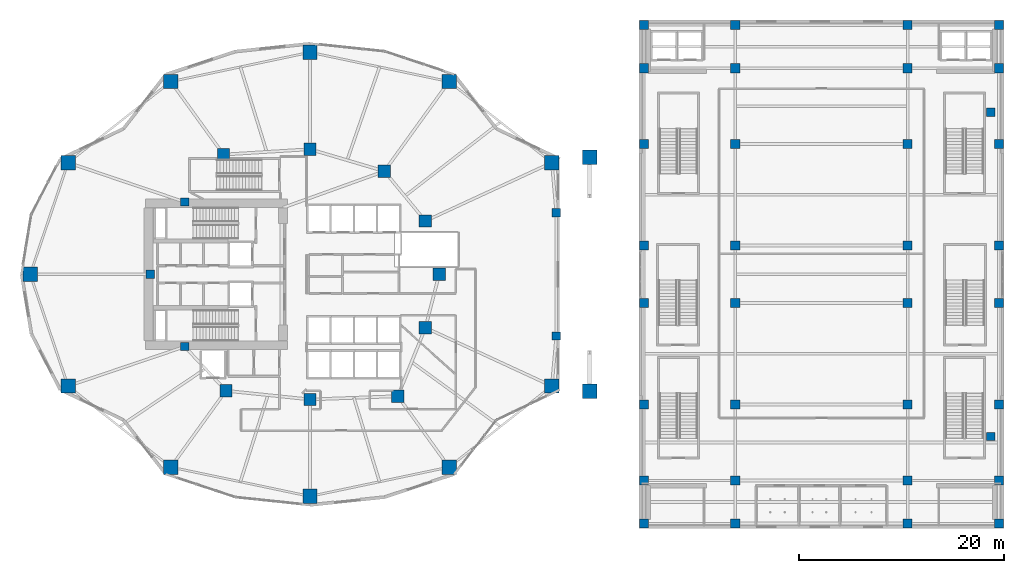
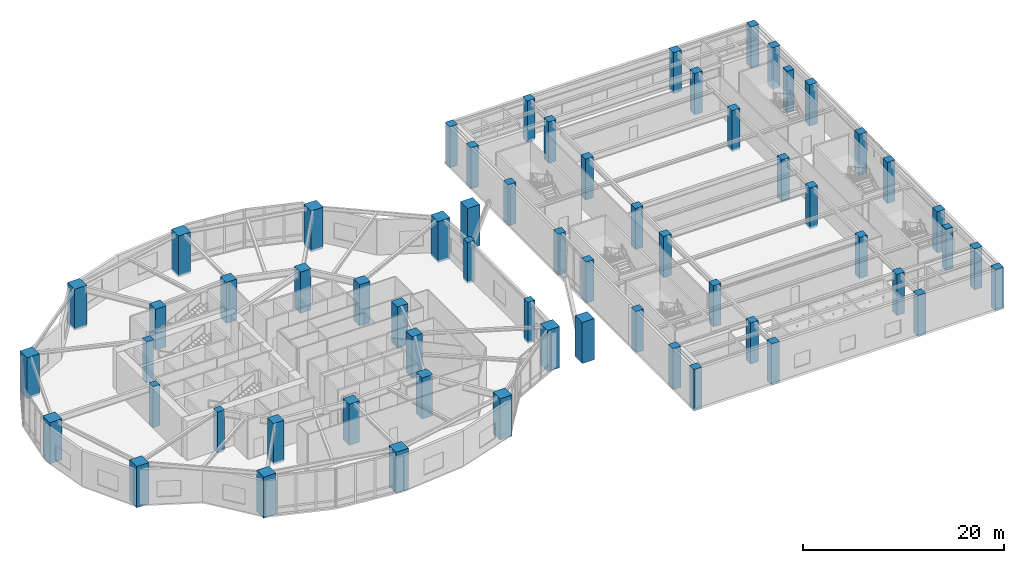
# One storey, part 1 of 21: 61 columns.
"""IFC4 building model written with IfcOpenShell, lengths in metres."""

from ifc_helpers import new_model, si_unit, direction, frame, origin, origin_2d, place, context, subcontext, project, spatial, rectangle, extrude, material, material_profile, profile_set, type_object, element, save


model = new_model("IFC4")

# Units and contexts
model_context = context("Model", 3, precision=1e-05, world=origin(), true_north=direction((0.0, 1.0)))
body_context = subcontext(model_context, "Body", "Model", "MODEL_VIEW")
ifc_project = project(units=[si_unit("LENGTHUNIT", "METRE"), si_unit("AREAUNIT", "SQUARE_METRE"), si_unit("VOLUMEUNIT", "CUBIC_METRE"), si_unit("PLANEANGLEUNIT", "RADIAN"), si_unit("MASSUNIT", "GRAM", prefix="KILO")], contexts=[model_context])

# Site, building, storey
site_placement = place(None, origin())
site = spatial("IfcSite", under=ifc_project, at=site_placement, CompositionType="ELEMENT")
building_placement = place(site_placement, origin())
building = spatial("IfcBuilding", under=site, at=building_placement, Name="Kolvaren Gate Tower and Convention Centre", CompositionType="ELEMENT")
storey_placement = place(building_placement, frame((0.0, 0.0, 5.0)))
storey = spatial("IfcBuildingStorey", under=building, at=storey_placement, Name="L01", CompositionType="ELEMENT", Elevation=5.0)

# Columns
ifc_material_1 = material(Name="Concrete C70/85", Category="concrete")
ifc_material_profile_1 = material_profile(ifc_material_1, rectangle(XDim=1.199951171875, YDim=1.199951171875, at=origin_2d()), Name="RC-COL-1200X1200")
ifc_profile_set_1 = profile_set([ifc_material_profile_1], Name="Concrete C70/85")
column_type_1 = type_object("IfcColumnType", Name="STR-COL-RC1200", PredefinedType="COLUMN", material=ifc_profile_set_1)
for number, where, z_axis, x_axis, name in (
    (1, (42.72509765625, 27.0, -0.260009765625), (0.0, 0.0, 1.0), (1.0, 0.0, 0.0), "Tower L01 Interior Column TI-01"),
    (2, (41.382080078125, 32.199462890625, -0.260009765625), (0.0, 0.0, 1.0), (1.0, 0.0, 0.0), "Tower L01 Interior Column TI-02"),
    (3, (37.381591796875, 37.054931640625, -0.260009765625), (0.0, 0.0, 1.0), (1.0, 0.0, 0.0), "Tower L01 Interior Column TI-03"),
    (4, (30.125, 39.199951171875, -0.260009765625), (0.0, 0.0, 1.0), (1.0, 0.0, 0.0), "Tower L01 Interior Column TI-04"),
    (5, (21.697998046875, 38.6767578125, -0.260009765625), (0.0, 0.0, 1.0), (1.0, 0.0, 0.0), "Tower L01 Interior Column TI-05"),
    (6, (21.93212890625, 15.647705078125, -0.260009765625), (0.0, 0.0, 1.0), (1.0, 0.0, 0.0), "Tower L01 Interior Column TI-06"),
    (7, (30.125, 14.800048828125, -0.260009765625), (0.0, 0.0, 1.0), (1.0, 0.0, 0.0), "Tower L01 Interior Column TI-07"),
    (8, (38.6982421875, 15.12060546875, -0.260009765625), (0.0, 0.0, 1.0), (1.0, 0.0, 0.0), "Tower L01 Interior Column TI-08"),
    (9, (41.382080078125, 21.800537109375, -0.260009765625), (0.0, 0.0, 1.0), (1.0, 0.0, 0.0), "Tower L01 Interior Column TI-09"),
):
    element("IfcColumn", number, at=place(storey_placement, frame(where, z_axis=z_axis, x_axis=x_axis)), inside=storey, type_object=column_type_1, Name=name, PredefinedType="COLUMN", context=body_context, shape_type="SweptSolid", body=[
        extrude(rectangle(XDim=1.199951171875, YDim=1.199951171875, at=origin_2d()), origin(), (0.0, 0.0, 1.0), 5.0),
    ])
ifc_material_profile_2 = material_profile(ifc_material_1, rectangle(XDim=1.39990234375, YDim=1.39990234375, at=origin_2d()), Name="RC-COL-1400X1400")
ifc_profile_set_2 = profile_set([ifc_material_profile_2], Name="Concrete C70/85")
column_type_2 = type_object("IfcColumnType", Name="STR-COL-RC1400", PredefinedType="COLUMN", material=ifc_profile_set_2)
for number, where, z_axis, x_axis, name in (
    (10, (53.710205078125, 37.8935546875, -0.260009765625), (0.0, 0.0, 1.0), (1.0, 0.0, 0.0), "Tower L01 Perimeter Supercolumn TP-02"),
    (11, (43.690185546875, 45.79638671875, -0.260009765625), (0.0, 0.0, 1.0), (1.0, 0.0, 0.0), "Tower L01 Perimeter Supercolumn TP-03"),
    (12, (30.125, 48.64990234375, -0.260009765625), (0.0, 0.0, 1.0), (1.0, 0.0, 0.0), "Tower L01 Perimeter Supercolumn TP-04"),
    (13, (16.559814453125, 45.79638671875, -0.260009765625), (0.0, 0.0, 1.0), (1.0, 0.0, 0.0), "Tower L01 Perimeter Supercolumn TP-05"),
    (14, (6.539794921875, 37.8935546875, -0.260009765625), (0.0, 0.0, 1.0), (1.0, 0.0, 0.0), "Tower L01 Perimeter Supercolumn TP-06"),
    (15, (2.85009765625, 27.0, -0.260009765625), (0.0, 0.0, 1.0), (1.0, 0.0, 0.0), "Tower L01 Perimeter Supercolumn TP-07"),
    (16, (6.539794921875, 16.1064453125, -0.260009765625), (0.0, 0.0, 1.0), (1.0, 0.0, 0.0), "Tower L01 Perimeter Supercolumn TP-08"),
    (17, (16.559814453125, 8.20361328125, -0.260009765625), (0.0, 0.0, 1.0), (1.0, 0.0, 0.0), "Tower L01 Perimeter Supercolumn TP-09"),
    (18, (30.125, 5.35009765625, -0.260009765625), (0.0, 0.0, 1.0), (1.0, 0.0, 0.0), "Tower L01 Perimeter Supercolumn TP-10"),
    (19, (43.690185546875, 8.20361328125, -0.260009765625), (0.0, 0.0, 1.0), (1.0, 0.0, 0.0), "Tower L01 Perimeter Supercolumn TP-11"),
    (20, (53.710205078125, 16.1064453125, -0.260009765625), (0.0, 0.0, 1.0), (1.0, 0.0, 0.0), "Tower L01 Perimeter Supercolumn TP-12"),
    (21, (57.39990234375, 15.60009765625, -0.260009765625), (0.0, 0.0, 1.0), (1.0, 0.0, 0.0), "Monumental Arch Skewback Pier AP-1 (L01)"),
    (22, (57.39990234375, 38.39990234375, -0.260009765625), (0.0, 0.0, 1.0), (1.0, 0.0, 0.0), "Monumental Arch Skewback Pier AP-2 (L01)"),
):
    element("IfcColumn", number, at=place(storey_placement, frame(where, z_axis=z_axis, x_axis=x_axis)), inside=storey, type_object=column_type_2, Name=name, PredefinedType="COLUMN", context=body_context, shape_type="SweptSolid", body=[
        extrude(rectangle(XDim=1.39990234375, YDim=1.39990234375, at=origin_2d()), origin(), (0.0, 0.0, 1.0), 5.0),
    ])
ifc_material_2 = material(Name="Concrete C60/75", Category="concrete")
ifc_material_profile_3 = material_profile(ifc_material_2, rectangle(XDim=0.89990234375, YDim=0.89990234375, at=origin_2d()), Name="RC-COL-900X900")
ifc_profile_set_3 = profile_set([ifc_material_profile_3], Name="Concrete C60/75")
column_type_3 = type_object("IfcColumnType", Name="STR-COL-RC900", PredefinedType="COLUMN", material=ifc_profile_set_3)
for number, where, z_axis, x_axis, name in (
    (23, (62.699951171875, 2.699951171875, -0.260009765625), (0.0, 0.0, 1.0), (1.0, 0.0, 0.0), "Convention L01 Column CC-11"),
    (24, (62.699951171875, 6.89990234375, -0.260009765625), (0.0, 0.0, 1.0), (1.0, 0.0, 0.0), "Convention L01 Column CC-12"),
    (25, (62.699951171875, 14.300048828125, -0.260009765625), (0.0, 0.0, 1.0), (1.0, 0.0, 0.0), "Convention L01 Column CC-13"),
    (26, (62.699951171875, 24.199951171875, -0.260009765625), (0.0, 0.0, 1.0), (1.0, 0.0, 0.0), "Convention L01 Column CC-14"),
    (27, (62.699951171875, 29.800048828125, -0.260009765625), (0.0, 0.0, 1.0), (1.0, 0.0, 0.0), "Convention L01 Column CC-15"),
    (28, (62.699951171875, 39.699951171875, -0.260009765625), (0.0, 0.0, 1.0), (1.0, 0.0, 0.0), "Convention L01 Column CC-16"),
    (29, (62.699951171875, 47.10009765625, -0.260009765625), (0.0, 0.0, 1.0), (1.0, 0.0, 0.0), "Convention L01 Column CC-17"),
    (30, (62.699951171875, 51.300048828125, -0.260009765625), (0.0, 0.0, 1.0), (1.0, 0.0, 0.0), "Convention L01 Column CC-18"),
    (31, (71.60009765625, 2.699951171875, -0.260009765625), (0.0, 0.0, 1.0), (1.0, 0.0, 0.0), "Convention L01 Column CC-21"),
    (32, (71.60009765625, 6.89990234375, -0.260009765625), (0.0, 0.0, 1.0), (1.0, 0.0, 0.0), "Convention L01 Column CC-22"),
    (33, (71.60009765625, 14.300048828125, -0.260009765625), (0.0, 0.0, 1.0), (1.0, 0.0, 0.0), "Convention L01 Column CC-23"),
    (34, (71.60009765625, 24.199951171875, -0.260009765625), (0.0, 0.0, 1.0), (1.0, 0.0, 0.0), "Convention L01 Column CC-24"),
    (35, (71.60009765625, 29.800048828125, -0.260009765625), (0.0, 0.0, 1.0), (1.0, 0.0, 0.0), "Convention L01 Column CC-25"),
    (36, (71.60009765625, 39.699951171875, -0.260009765625), (0.0, 0.0, 1.0), (1.0, 0.0, 0.0), "Convention L01 Column CC-26"),
    (37, (71.60009765625, 47.10009765625, -0.260009765625), (0.0, 0.0, 1.0), (1.0, 0.0, 0.0), "Convention L01 Column CC-27"),
    (38, (71.60009765625, 51.300048828125, -0.260009765625), (0.0, 0.0, 1.0), (1.0, 0.0, 0.0), "Convention L01 Column CC-28"),
    (39, (88.39990234375, 2.699951171875, -0.260009765625), (0.0, 0.0, 1.0), (1.0, 0.0, 0.0), "Convention L01 Column CC-31"),
    (40, (88.39990234375, 6.89990234375, -0.260009765625), (0.0, 0.0, 1.0), (1.0, 0.0, 0.0), "Convention L01 Column CC-32"),
    (41, (88.39990234375, 14.300048828125, -0.260009765625), (0.0, 0.0, 1.0), (1.0, 0.0, 0.0), "Convention L01 Column CC-33"),
    (42, (88.39990234375, 24.199951171875, -0.260009765625), (0.0, 0.0, 1.0), (1.0, 0.0, 0.0), "Convention L01 Column CC-34"),
    (43, (88.39990234375, 29.800048828125, -0.260009765625), (0.0, 0.0, 1.0), (1.0, 0.0, 0.0), "Convention L01 Column CC-35"),
    (44, (88.39990234375, 39.699951171875, -0.260009765625), (0.0, 0.0, 1.0), (1.0, 0.0, 0.0), "Convention L01 Column CC-36"),
    (45, (88.39990234375, 47.10009765625, -0.260009765625), (0.0, 0.0, 1.0), (1.0, 0.0, 0.0), "Convention L01 Column CC-37"),
    (46, (88.39990234375, 51.300048828125, -0.260009765625), (0.0, 0.0, 1.0), (1.0, 0.0, 0.0), "Convention L01 Column CC-38"),
    (47, (97.300048828125, 2.699951171875, -0.260009765625), (0.0, 0.0, 1.0), (1.0, 0.0, 0.0), "Convention L01 Column CC-41"),
    (48, (97.300048828125, 6.89990234375, -0.260009765625), (0.0, 0.0, 1.0), (1.0, 0.0, 0.0), "Convention L01 Column CC-42"),
    (49, (97.300048828125, 14.300048828125, -0.260009765625), (0.0, 0.0, 1.0), (1.0, 0.0, 0.0), "Convention L01 Column CC-43"),
    (50, (97.300048828125, 24.199951171875, -0.260009765625), (0.0, 0.0, 1.0), (1.0, 0.0, 0.0), "Convention L01 Column CC-44"),
    (51, (97.300048828125, 29.800048828125, -0.260009765625), (0.0, 0.0, 1.0), (1.0, 0.0, 0.0), "Convention L01 Column CC-45"),
    (52, (97.300048828125, 39.699951171875, -0.260009765625), (0.0, 0.0, 1.0), (1.0, 0.0, 0.0), "Convention L01 Column CC-46"),
    (53, (97.300048828125, 47.10009765625, -0.260009765625), (0.0, 0.0, 1.0), (1.0, 0.0, 0.0), "Convention L01 Column CC-47"),
    (54, (97.300048828125, 51.300048828125, -0.260009765625), (0.0, 0.0, 1.0), (1.0, 0.0, 0.0), "Convention L01 Column CC-48"),
):
    element("IfcColumn", number, at=place(storey_placement, frame(where, z_axis=z_axis, x_axis=x_axis)), inside=storey, type_object=column_type_3, Name=name, PredefinedType="COLUMN", context=body_context, shape_type="SweptSolid", body=[
        extrude(rectangle(XDim=0.89990234375, YDim=0.89990234375, at=origin_2d()), origin(), (0.0, 0.0, 1.0), 5.0),
    ])
ifc_material_profile_4 = material_profile(ifc_material_2, rectangle(XDim=0.800048828125, YDim=0.800048828125, at=origin_2d()), Name="RC-COL-800X800")
ifc_profile_set_4 = profile_set([ifc_material_profile_4], Name="Concrete C60/75")
column_type_4 = type_object("IfcColumnType", Name="STR-PIL-RC800", PredefinedType="PILASTER", material=ifc_profile_set_4)
for number, where, z_axis, x_axis, name in (
    (55, (54.14990234375, 21.0, -0.260009765625), (0.0, 0.0, 1.0), (1.0, 0.0, 0.0), "Arch Portal Pilaster CP-1 (L01)"),
    (56, (54.14990234375, 33.0, -0.260009765625), (0.0, 0.0, 1.0), (1.0, 0.0, 0.0), "Arch Portal Pilaster CP-2 (L01)"),
    (57, (17.9140625, 34.050048828125, -0.260009765625), (0.0, 0.0, 1.0), (1.0, 0.0, 0.0), "Tower L01 Core Boundary Pilaster TC-05"),
    (58, (14.550048828125, 27.0, -0.260009765625), (0.0, 0.0, 1.0), (1.0, 0.0, 0.0), "Tower L01 Core Boundary Pilaster TC-06"),
    (59, (17.9140625, 19.949951171875, -0.260009765625), (0.0, 0.0, 1.0), (1.0, 0.0, 0.0), "Tower L01 Core Boundary Pilaster TC-07"),
    (60, (96.5, 11.199951171875, -0.260009765625), (0.0, 0.0, 1.0), (1.0, 0.0, 0.0), "Convention L01 Wall Pilaster CP-C1"),
    (61, (96.5, 42.800048828125, -0.260009765625), (0.0, 0.0, 1.0), (1.0, 0.0, 0.0), "Convention L01 Wall Pilaster CP-C2"),
):
    element("IfcColumn", number, at=place(storey_placement, frame(where, z_axis=z_axis, x_axis=x_axis)), inside=storey, type_object=column_type_4, Name=name, PredefinedType="PILASTER", context=body_context, shape_type="SweptSolid", body=[
        extrude(rectangle(XDim=0.800048828125, YDim=0.800048828125, at=origin_2d()), origin(), (0.0, 0.0, 1.0), 5.0),
    ])

save(model, "model.ifc")
